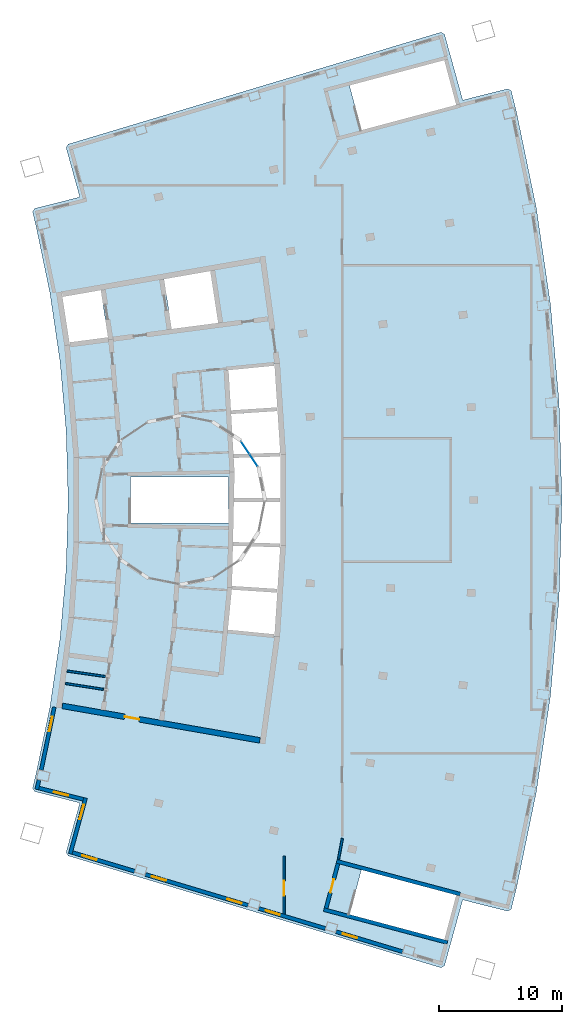
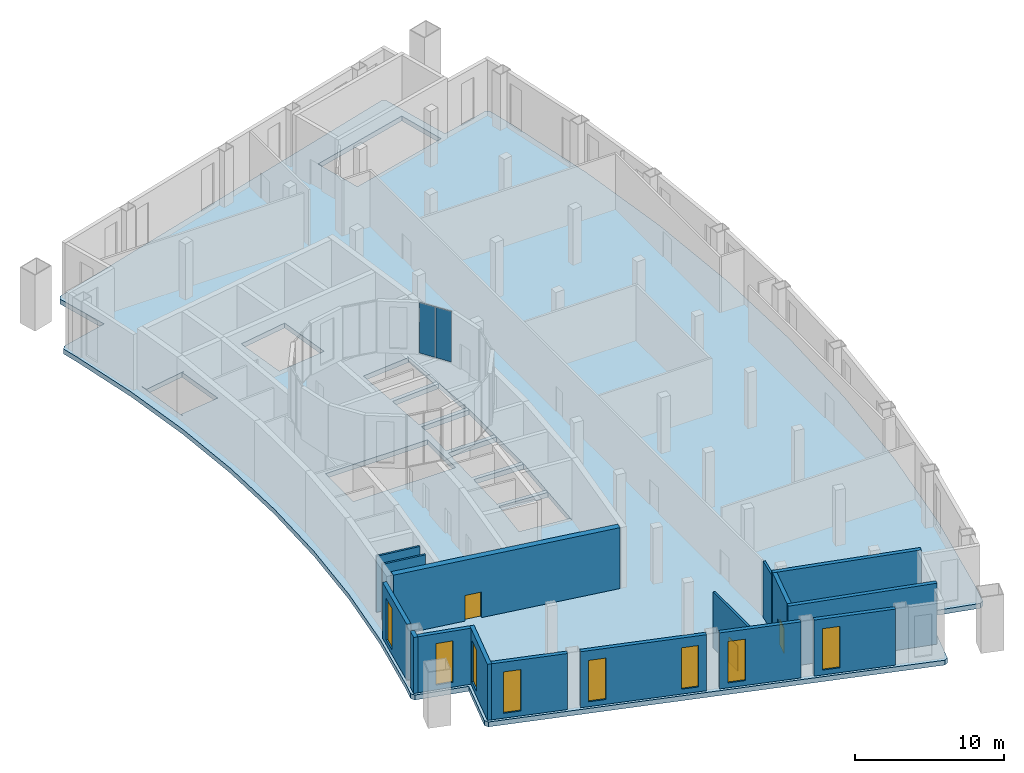
# One storey, part 3 of 9: 16 walls, 8 windows, 3 doors, 2 plates, 1 slab, 11 openings, 1 element without a shape of its own.
"""IFC4 building model written with IfcOpenShell, lengths in metres."""

from ifc_helpers import new_model, si_unit, direction, frame, frame_2d, origin, origin_2d, place, context, subcontext, project, spatial, polyline, rectangle, outline, extrude, material, layer, layer_set, type_object, element, fill, aggregate, save


model = new_model("IFC4")

# Units and contexts
model_context = context("Model", 3, precision=1e-05, world=origin(), true_north=direction((0.0, 1.0)))
body_context = subcontext(model_context, "Body", "Model", "MODEL_VIEW")
ifc_project = project(units=[si_unit("LENGTHUNIT", "METRE"), si_unit("AREAUNIT", "SQUARE_METRE"), si_unit("VOLUMEUNIT", "CUBIC_METRE"), si_unit("PLANEANGLEUNIT", "RADIAN"), si_unit("MASSUNIT", "GRAM", prefix="KILO")], contexts=[model_context])

# Site, building, storey
site_placement = place(None, origin())
site = spatial("IfcSite", under=ifc_project, at=site_placement, CompositionType="ELEMENT")
building_placement = place(site_placement, origin())
building = spatial("IfcBuilding", under=site, at=building_placement, Name="Alderwake Tower", CompositionType="ELEMENT")
storey_placement = place(building_placement, frame((0.0, 0.0, 310.0)))
storey = spatial("IfcBuildingStorey", under=building, at=storey_placement, Name="L75", CompositionType="ELEMENT", Elevation=310.0)

# Slab
ifc_material_1 = material(Name="Concrete C50/60", Category="concrete")
ifc_layer_1 = layer(ifc_material_1, 0.39990234375)
ifc_layer_set_1 = layer_set([ifc_layer_1], Name="Concrete C50/60 post-tensioned flat plate 400")
slab_type = type_object("IfcSlabType", Name="Concrete C50/60 post-tensioned flat plate 400", PredefinedType="FLOOR", material=ifc_layer_set_1)
slab_placement = place(storey_placement, frame((0.0, 0.0, -0.39990234375)))
element("IfcSlab", 1, at=slab_placement, inside=storey, type_object=slab_type, Name="Floor slab L75", PredefinedType="FLOOR", context=body_context, shape_type="SweptSolid", body=[
    extrude(outline(polyline([(16.942626953125, 36.46142578125), (13.287841796875, 37.38671875), (13.11962890625, 37.66650390625), (13.3984375, 38.802734375), (14.53369140625, 44.28564453125), (15.347412109375, 49.825439453125), (15.836669921875, 55.4033203125), (16.0, 61.0), (15.836669921875, 66.5966796875), (15.347412109375, 72.174560546875), (14.53369140625, 77.71435546875), (13.3984375, 83.197265625), (13.11962890625, 84.33349609375), (13.287841796875, 84.61328125), (16.942626953125, 85.53857421875), (15.837890625, 89.533203125), (15.996826171875, 89.821044921875), (46.204833984375, 98.890380859375), (46.486328125, 98.73486328125), (47.964111328125, 93.390869140625), (51.618896484375, 94.31591796875), (51.896728515625, 94.14892578125), (52.314453125, 92.4462890625), (53.9228515625, 84.6787109375), (55.075439453125, 76.830810546875), (55.768798828125, 68.9287109375), (56.0, 61.0), (55.768798828125, 53.0712890625), (55.075439453125, 45.169189453125), (53.9228515625, 37.3212890625), (52.314453125, 29.5537109375), (51.896728515625, 27.85107421875), (51.618896484375, 27.68408203125), (47.964111328125, 28.609130859375), (46.486328125, 23.26513671875), (46.204833984375, 23.109619140625), (15.996826171875, 32.178955078125), (15.837890625, 32.466796875), (16.942626953125, 36.46142578125)]), holes=[polyline([(29.26123046875, 53.771728515625), (29.2578125, 53.77197265625), (28.9365234375, 50.4912109375), (32.6962890625, 50.123291015625), (32.681640625, 49.973876953125), (32.711669921875, 49.970947265625), (32.95068359375, 53.644775390625), (33.18994140625, 57.318603515625), (33.18994140625, 61.0), (33.18994140625, 64.681396484375), (32.95068359375, 68.355224609375), (32.711669921875, 72.029052734375), (32.681640625, 72.026123046875), (32.6962890625, 71.876708984375), (28.886962890625, 71.50390625), (28.88720703125, 71.50048828125), (28.99462890625, 71.506591796875), (29.184814453125, 68.26025390625), (32.9111328125, 68.5029296875), (32.9208984375, 68.353271484375), (32.9306640625, 68.20361328125), (29.2021484375, 67.960693359375), (29.392578125, 64.7080078125), (33.1552734375, 64.83056640625), (33.159912109375, 64.680419921875), (33.164794921875, 64.530517578125), (29.41015625, 64.408447265625), (29.4765625, 63.27685546875), (29.429443359375, 61.14990234375), (33.159912109375, 61.14990234375), (33.159912109375, 61.0), (33.159912109375, 60.85009765625), (29.4228515625, 60.85009765625), (29.350830078125, 57.593505859375), (33.164794921875, 57.469482421875), (33.159912109375, 57.319580078125), (33.1552734375, 57.16943359375), (29.34423828125, 57.29345703125), (29.2705078125, 53.969482421875), (29.274169921875, 53.969482421875), (29.2783203125, 54.0341796875), (32.9306640625, 53.79638671875), (32.9208984375, 53.646728515625), (32.9111328125, 53.4970703125), (29.2587890625, 53.73486328125), (29.26123046875, 53.771728515625)]), polyline([(29.0, 62.875), (21.050048828125, 62.875), (21.050048828125, 59.125), (29.0, 59.125), (29.0, 62.875)]), polyline([(15.569091796875, 77.45703125), (15.49462890625, 77.88427734375), (15.4130859375, 77.869873046875), (15.413818359375, 77.8662109375), (15.47021484375, 77.874755859375), (16.13134765625, 73.5732421875), (16.1611328125, 73.5771484375), (16.13525390625, 73.775390625), (19.224609375, 74.1796875), (18.647705078125, 77.98974609375), (18.843994140625, 78.01953125), (18.84228515625, 78.028564453125), (15.569091796875, 77.45703125)]), polyline([(28.152587890625, 75.347412109375), (27.512451171875, 79.542236328125), (23.769287109375, 78.888916015625), (24.384033203125, 74.858642578125), (24.3623046875, 74.85546875), (24.36279296875, 74.8515625), (28.152587890625, 75.347412109375)]), polyline([(46.47119140625, 25.373291015625), (47.436279296875, 28.996826171875), (39.754150390625, 31.043212890625), (38.7890625, 27.41943359375), (46.47119140625, 25.373291015625)]), polyline([(47.436279296875, 93.003173828125), (46.47119140625, 96.626708984375), (38.7890625, 94.58056640625), (39.754150390625, 90.956787109375), (47.436279296875, 93.003173828125)])]), origin(), (0.0, 0.0, 1.0), 0.39990234375),
])

# Curtain wall, plates
ifc_material_2 = material(Name="Bronze tinted glass in aluminium frame", Category="aluminium")
ifc_layer_2 = layer(ifc_material_2, 0.199951171875)
ifc_layer_set_2 = layer_set([ifc_layer_2], Name="Curtain wall CW6 crown drum glazing")
curtain_wall_type = type_object("IfcCurtainWallType", Name="Curtain wall CW6 crown drum glazing", PredefinedType="NOTDEFINED", material=ifc_layer_set_2)
curtain_wall_placement = place(storey_placement, origin())
curtain_wall = element("IfcCurtainWall", 2, at=curtain_wall_placement, inside=storey, type_object=curtain_wall_type, Name="Curtain wall 1", PredefinedType="NOTDEFINED")
ifc_material_3 = material(Name="Bronze tinted glass in aluminium frame", Category="aluminium")
ifc_layer_3 = layer(ifc_material_3, 0.02392578125)
ifc_layer_set_3 = layer_set([ifc_layer_3], Name="Glass panel GPF 24")
plate_type = type_object("IfcPlateType", Name="Glass panel GPF 24", PredefinedType="CURTAIN_PANEL", material=ifc_layer_set_3)
plate_1_placement = place(storey_placement, frame((31.02001953125, 64.2275390625, 5.050048828125), z_axis=(0.0, 0.0, 1.0), x_axis=(-0.555549556768, 0.831483427361, 0.0)))
plate_1 = element("IfcPlate", 3, at=plate_1_placement, type_object=plate_type, Name="CW.01 panel 1.1", PredefinedType="CURTAIN_PANEL", context=body_context, shape_type="SweptSolid", body=[
    extrude(rectangle(XDim=1.160888671875, YDim=0.02392578125, at=origin_2d()), origin(), (0.0, 0.0, 1.0), 4.14990234375),
])
plate_2_placement = place(storey_placement, frame((30.347412109375, 65.234375, 5.050048828125), z_axis=(0.0, 0.0, 1.0), x_axis=(-0.555549556768, 0.831483427361, 0.0)))
plate_2 = element("IfcPlate", 4, at=plate_2_placement, type_object=plate_type, Name="CW.01 panel 2.1", PredefinedType="CURTAIN_PANEL", context=body_context, shape_type="SweptSolid", body=[
    extrude(rectangle(XDim=1.160888671875, YDim=0.02392578125, at=origin_2d()), origin(), (0.0, 0.0, 1.0), 4.14990234375),
])
aggregate(curtain_wall, [plate_1, plate_2])

# Walls
ifc_material_4 = material(Name="Gypsum shaft wall system, rated")
ifc_layer_4 = layer(ifc_material_4, 0.14990234375)
ifc_layer_set_4 = layer_set([ifc_layer_4], Name="Core room partition 150")
wall_type_1 = type_object("IfcWallType", Name="Core room partition 150", PredefinedType="PARTITIONING", material=ifc_layer_set_4)
wall_1_placement = place(storey_placement, frame((15.777099609375, 46.136474609375, 0.0), z_axis=(0.0, 0.0, 1.0), x_axis=(0.988162490428, -0.153410861774, 0.0)))
element("IfcWall", 5, at=wall_1_placement, inside=storey, type_object=wall_type_1, Name="CW/L75/PR-161_+0", PredefinedType="PARTITIONING", context=body_context, shape_type="SweptSolid", body=[
    extrude(rectangle(XDim=3.13037109375, YDim=0.14990234375, at=frame_2d((1.565185546875, 0.0))), origin(), (0.0, 0.0, 1.0), 4.60009765625),
])
wall_2_placement = place(storey_placement, frame((15.916015625, 47.146484375, 0.0), z_axis=(0.0, 0.0, 1.0), x_axis=(0.989723447804, -0.142994744194, 0.0)))
element("IfcWall", 6, at=wall_2_placement, inside=storey, type_object=wall_type_1, Name="CW/L75/PR-150_+0", PredefinedType="PARTITIONING", context=body_context, shape_type="SweptSolid", body=[
    extrude(rectangle(XDim=3.1279296875, YDim=0.14990234375, at=frame_2d((1.56396484375, 0.0))), origin(), (0.0, 0.0, 1.0), 4.60009765625),
])

# Wall, opening, door
ifc_material_5 = material(Name="Concrete C70/85", Category="concrete")
ifc_layer_5 = layer(ifc_material_5, 0.449951171875)
ifc_layer_set_5 = layer_set([ifc_layer_5], Name="Core wall outer 450 C70-85")
wall_type_2 = type_object("IfcWallType", Name="Core wall outer 450 C70-85", PredefinedType="SHEAR", material=ifc_layer_set_5)
wall_3_placement = place(storey_placement, frame((31.523681640625, 41.529052734375, 0.0), z_axis=(0.0, 0.0, 1.0), x_axis=(-0.985099762962, 0.171983885907, 0.0)))
wall_3 = element("IfcWall", 7, at=wall_3_placement, inside=storey, type_object=wall_type_2, Name="Core wall CW.073", PredefinedType="SHEAR", context=body_context, shape_type="SweptSolid", body=[
    extrude(rectangle(XDim=16.23828125, YDim=0.449951171875, at=frame_2d((8.119140625, 0.0))), origin(), (0.0, 0.0, 1.0), 5.0),
])
opening_1_placement = place(wall_3_placement, frame((9.91064453125, 0.0, 0.0)))
opening_1 = element("IfcOpeningElement", 8, at=opening_1_placement, cuts=wall_3, Name="Opening C003", PredefinedType="OPENING", context=body_context, shape_type="SweptSolid", body=[
    extrude(rectangle(XDim=1.199951171875, YDim=2.10009765625, at=frame_2d((0.60009765625, 1.050048828125))), frame((0.0, 0.23486328125, 0.0), z_axis=(0.0, -1.0, 0.0), x_axis=(1.0, 0.0, 0.0)), (0.0, 0.0, 1.0), 0.469970703125),
])
ifc_material_6 = material(Name="Steel-framed fire door leaf", Category="steel")
door_type_1 = type_object("IfcDoorType", Name="Core lobby exit door 1200 fire-rated", OperationType="SINGLE_SWING_LEFT", PredefinedType="DOOR", material=ifc_material_6)
door_1_placement = place(opening_1_placement, origin())
door_1 = element("IfcDoor", 9, at=door_1_placement, inside=storey, type_object=door_type_1, Name="Lobby door", OperationType="SINGLE_SWING_LEFT", OverallHeight=2.10009765625, OverallWidth=1.199951171875, PredefinedType="DOOR", context=body_context, shape_type="SweptSolid", body=[
    extrude(rectangle(XDim=1.199951171875, YDim=2.10009765625, at=frame_2d((0.60009765625, 1.050048828125))), frame((0.0, 0.02490234375, 0.0), z_axis=(0.0, -1.0, 0.0), x_axis=(1.0, 0.0, 0.0)), (0.0, 0.0, 1.0), 0.050048828125),
])
fill(opening_1, door_1)

# Walls
ifc_material_7 = material(Name="Concrete C70/85", Category="concrete")
ifc_layer_6 = layer(ifc_material_7, 0.300048828125)
ifc_layer_set_6 = layer_set([ifc_layer_6], Name="Core wall stair enclosure 300 C70-85")
wall_type_3 = type_object("IfcWallType", Name="Core wall stair enclosure 300 C70-85", PredefinedType="SHEAR", material=ifc_layer_set_6)
for number, where, z_axis, x_axis, name in (
    (10, (37.75390625, 31.731201171875, 0.0), (0.0, 0.0, 1.0), (0.966309214305, -0.257383958996, 0.0), "Core wall CW.086"),
    (11, (36.71142578125, 27.817626953125, 0.0), (0.0, 0.0, 1.0), (0.966309214305, -0.257383958996, 0.0), "Core wall CW.088"),
):
    element("IfcWall", number, at=place(storey_placement, frame(where, z_axis=z_axis, x_axis=x_axis)), inside=storey, type_object=wall_type_3, Name=name, PredefinedType="SHEAR", context=body_context, shape_type="SweptSolid", body=[
        extrude(rectangle(XDim=10.360107421875, YDim=0.300048828125, at=frame_2d((5.18017578125, 0.0))), origin(), (0.0, 0.0, 1.0), 5.0),
    ])

# Wall, opening, door
wall_4_placement = place(storey_placement, frame((36.89501953125, 27.923828125, 0.0), z_axis=(0.0, 0.0, 1.0), x_axis=(0.257350630826, 0.966318090907, 0.0)))
wall_4 = element("IfcWall", 12, at=wall_4_placement, inside=storey, type_object=wall_type_3, Name="Core wall CW.087", PredefinedType="SHEAR", context=body_context, shape_type="SweptSolid", body=[
    extrude(rectangle(XDim=3.75, YDim=0.300048828125, at=frame_2d((1.875, 0.0))), origin(), (0.0, 0.0, 1.0), 5.0),
])
opening_2_placement = place(wall_4_placement, frame((1.324951171875, 0.0, 0.0)))
opening_2 = element("IfcOpeningElement", 13, at=opening_2_placement, cuts=wall_4, Name="Opening C065", PredefinedType="OPENING", context=body_context, shape_type="SweptSolid", body=[
    extrude(rectangle(XDim=1.10009765625, YDim=2.10009765625, at=frame_2d((0.550048828125, 1.050048828125))), frame((0.0, 0.159912109375, 0.0), z_axis=(0.0, -1.0, 0.0), x_axis=(1.0, 0.0, 0.0)), (0.0, 0.0, 1.0), 0.320068359375),
])
ifc_material_8 = material(Name="Steel-framed fire door leaf", Category="steel")
door_type_2 = type_object("IfcDoorType", Name="Core stair door 1100 fire-rated", OperationType="SINGLE_SWING_LEFT", PredefinedType="DOOR", material=ifc_material_8)
door_2_placement = place(opening_2_placement, origin())
door_2 = element("IfcDoor", 14, at=door_2_placement, inside=storey, type_object=door_type_2, Name="Stair door", OperationType="SINGLE_SWING_LEFT", OverallHeight=2.10009765625, OverallWidth=1.10009765625, PredefinedType="DOOR", context=body_context, shape_type="SweptSolid", body=[
    extrude(rectangle(XDim=1.10009765625, YDim=2.10009765625, at=frame_2d((0.550048828125, 1.050048828125))), frame((0.0, 0.02490234375, 0.0), z_axis=(0.0, -1.0, 0.0), x_axis=(1.0, 0.0, 0.0)), (0.0, 0.0, 1.0), 0.050048828125),
])
fill(opening_2, door_2)

ifc_material_9 = material(Name="Gypsum board on metal studs, rated")
ifc_layer_7 = layer(ifc_material_9, 0.159912109375)
ifc_layer_set_7 = layer_set([ifc_layer_7], Name="Corridor wall 160")
wall_type_4 = type_object("IfcWallType", Name="Corridor wall 160", PredefinedType="PARTITIONING", material=ifc_layer_set_7)
wall_5_placement = place(storey_placement, frame((33.5009765625, 32.15087890625, 0.0), z_axis=(0.0, 0.0, 1.0), x_axis=(0.0, -1.0, 0.0)))
wall_5 = element("IfcWall", 15, at=wall_5_placement, inside=storey, type_object=wall_type_4, Name="WL/L75/W01", PredefinedType="PARTITIONING", context=body_context, shape_type="SweptSolid", body=[
    extrude(rectangle(XDim=4.683837890625, YDim=0.159912109375, at=frame_2d((2.341796875, 0.0))), origin(), (0.0, 0.0, 1.0), 4.60009765625),
])
opening_3_placement = place(wall_5_placement, frame((2.010986328125, 0.0, 0.0)))
opening_3 = element("IfcOpeningElement", 16, at=opening_3_placement, cuts=wall_5, Name="Opening L75-01", PredefinedType="OPENING", context=body_context, shape_type="SweptSolid", body=[
    extrude(rectangle(XDim=1.199951171875, YDim=2.10009765625, at=frame_2d((0.60009765625, 1.050048828125))), frame((0.0, 0.08984375, 0.0), z_axis=(0.0, -1.0, 0.0), x_axis=(1.0, 0.0, 0.0)), (0.0, 0.0, 1.0), 0.179931640625),
])
ifc_material_10 = material(Name="Steel door leaf in steel frame", Category="steel")
door_type_3 = type_object("IfcDoorType", Name="Plant room door 1200 steel", OperationType="SINGLE_SWING_LEFT", PredefinedType="DOOR", material=ifc_material_10)
door_3_placement = place(opening_3_placement, origin())
door_3 = element("IfcDoor", 17, at=door_3_placement, inside=storey, type_object=door_type_3, Name="DR/L75/01", OperationType="SINGLE_SWING_LEFT", OverallHeight=2.10009765625, OverallWidth=1.199951171875, PredefinedType="DOOR", context=body_context, shape_type="SweptSolid", body=[
    extrude(rectangle(XDim=1.199951171875, YDim=2.10009765625, at=frame_2d((0.60009765625, 1.050048828125))), frame((0.0, 0.02490234375, 0.0), z_axis=(0.0, -1.0, 0.0), x_axis=(1.0, 0.0, 0.0)), (0.0, 0.0, 1.0), 0.050048828125),
])
fill(opening_3, door_3)

# Walls
wall_6_placement = place(storey_placement, frame((37.90478515625, 31.9296875, 0.0), z_axis=(0.0, 0.0, 1.0), x_axis=(0.183989949375, 0.982928124803, 0.0)))
element("IfcWall", 18, at=wall_6_placement, inside=storey, type_object=wall_type_4, Name="WL/L75/W07", PredefinedType="PARTITIONING", context=body_context, shape_type="SweptSolid", body=[
    extrude(rectangle(XDim=1.678466796875, YDim=0.159912109375, at=frame_2d((0.83935546875, 0.0))), origin(), (0.0, 0.0, 1.0), 4.60009765625),
])
ifc_material_11 = material(Name="Bronze metal cladding on lightweight framing")
ifc_layer_8 = layer(ifc_material_11, 0.300048828125)
ifc_layer_set_8 = layer_set([ifc_layer_8], Name="External wall EW3 plant enclosure")
wall_type_5 = type_object("IfcWallType", Name="External wall EW3 plant enclosure", PredefinedType="SOLIDWALL", material=ifc_layer_set_8)
wall_7_placement = place(storey_placement, frame((13.643310546875, 38.33154296875, 0.0), z_axis=(0.0, 0.0, 1.0), x_axis=(-0.238313493867, -0.971188281767, 0.0)))
element("IfcWall", 19, at=wall_7_placement, inside=storey, type_object=wall_type_5, Name="External wall 1", PredefinedType="SOLIDWALL", context=body_context, shape_type="SweptSolid", body=[
    extrude(rectangle(XDim=0.80322265625, YDim=0.300048828125, at=frame_2d((0.401611328125, 0.0))), origin(), (0.0, 0.0, 1.0), 4.60009765625),
])

# Wall, opening, window
wall_8_placement = place(storey_placement, frame((13.633056640625, 37.660400390625, 0.0), z_axis=(0.0, 0.0, 1.0), x_axis=(0.969417366605, -0.245417948254, 0.0)))
wall_8 = element("IfcWall", 20, at=wall_8_placement, inside=storey, type_object=wall_type_5, Name="External wall 3", PredefinedType="SOLIDWALL", context=body_context, shape_type="SweptSolid", body=[
    extrude(rectangle(XDim=3.70556640625, YDim=0.300048828125, at=frame_2d((1.852783203125, 0.0))), origin(), (0.0, 0.0, 1.0), 4.60009765625),
])
opening_4_placement = place(wall_8_placement, frame((1.252685546875, 0.0, 0.39990234375)))
opening_4 = element("IfcOpeningElement", 21, at=opening_4_placement, cuts=wall_8, Name="Opening LV2", PredefinedType="OPENING", context=body_context, shape_type="SweptSolid", body=[
    extrude(rectangle(XDim=1.199951171875, YDim=3.39990234375, at=frame_2d((0.60009765625, 1.699951171875))), frame((0.0, 0.159912109375, 0.0), z_axis=(0.0, -1.0, 0.0), x_axis=(1.0, 0.0, 0.0)), (0.0, 0.0, 1.0), 0.320068359375),
])
ifc_material_12 = material(Name="Bronze anodised aluminium louvre", Category="aluminium")
window_type = type_object("IfcWindowType", Name="Louvre LV2 crown drum", PartitioningType="SINGLE_PANEL", PredefinedType="USERDEFINED", material=ifc_material_12)
window_1_placement = place(opening_4_placement, origin())
window_1 = element("IfcWindow", 22, at=window_1_placement, inside=storey, type_object=window_type, Name="Louvre LV2 crown drum", ObjectType="LOUVRE", OverallHeight=3.39990234375, OverallWidth=1.199951171875, PartitioningType="SINGLE_PANEL", PredefinedType="USERDEFINED", context=body_context, shape_type="SweptSolid", body=[
    extrude(rectangle(XDim=1.199951171875, YDim=3.39990234375, at=frame_2d((0.60009765625, 1.699951171875))), frame((0.0, 0.030029296875, 0.0), z_axis=(0.0, -1.0, 0.0), x_axis=(1.0, 0.0, 0.0)), (0.0, 0.0, 1.0), 0.06005859375),
])
fill(opening_4, window_1)

wall_9_placement = place(storey_placement, frame((17.410400390625, 36.85888671875, 0.0), z_axis=(0.0, 0.0, 1.0), x_axis=(-0.264592640785, -0.96436027212, 0.0)))
wall_9 = element("IfcWall", 23, at=wall_9_placement, inside=storey, type_object=wall_type_5, Name="External wall 5", PredefinedType="SOLIDWALL", context=body_context, shape_type="SweptSolid", body=[
    extrude(rectangle(XDim=4.690185546875, YDim=0.300048828125, at=frame_2d((2.34521484375, 0.0))), origin(), (0.0, 0.0, 1.0), 4.60009765625),
])
opening_5_placement = place(wall_9_placement, frame((0.572509765625, 0.0, 0.39990234375)))
opening_5 = element("IfcOpeningElement", 24, at=opening_5_placement, cuts=wall_9, Name="Opening LV2", PredefinedType="OPENING", context=body_context, shape_type="SweptSolid", body=[
    extrude(rectangle(XDim=1.199951171875, YDim=3.39990234375, at=frame_2d((0.60009765625, 1.699951171875))), frame((0.0, 0.159912109375, 0.0), z_axis=(0.0, -1.0, 0.0), x_axis=(1.0, 0.0, 0.0)), (0.0, 0.0, 1.0), 0.320068359375),
])
window_2_placement = place(opening_5_placement, origin())
window_2 = element("IfcWindow", 25, at=window_2_placement, inside=storey, type_object=window_type, Name="Louvre LV2 crown drum", ObjectType="LOUVRE", OverallHeight=3.39990234375, OverallWidth=1.199951171875, PartitioningType="SINGLE_PANEL", PredefinedType="USERDEFINED", context=body_context, shape_type="SweptSolid", body=[
    extrude(rectangle(XDim=1.199951171875, YDim=3.39990234375, at=frame_2d((0.60009765625, 1.699951171875))), frame((0.0, 0.030029296875, 0.0), z_axis=(0.0, -1.0, 0.0), x_axis=(1.0, 0.0, 0.0)), (0.0, 0.0, 1.0), 0.06005859375),
])
fill(opening_5, window_2)

wall_10_placement = place(storey_placement, frame((16.352783203125, 32.4375, 0.0), z_axis=(0.0, 0.0, 1.0), x_axis=(0.957768668152, -0.287539872551, 0.0)))
wall_10 = element("IfcWall", 26, at=wall_10_placement, inside=storey, type_object=wall_type_5, Name="External wall 7", PredefinedType="SOLIDWALL", context=body_context, shape_type="SweptSolid", body=[
    extrude(rectangle(XDim=5.249755859375, YDim=0.300048828125, at=frame_2d((2.625, 0.0))), origin(), (0.0, 0.0, 1.0), 4.60009765625),
])
opening_6_placement = place(wall_10_placement, frame((0.825439453125, 0.0, 0.39990234375)))
opening_6 = element("IfcOpeningElement", 27, at=opening_6_placement, cuts=wall_10, Name="Opening LV2", PredefinedType="OPENING", context=body_context, shape_type="SweptSolid", body=[
    extrude(rectangle(XDim=1.199951171875, YDim=3.39990234375, at=frame_2d((0.60009765625, 1.699951171875))), frame((0.0, 0.159912109375, 0.0), z_axis=(0.0, -1.0, 0.0), x_axis=(1.0, 0.0, 0.0)), (0.0, 0.0, 1.0), 0.320068359375),
])
window_3_placement = place(opening_6_placement, origin())
window_3 = element("IfcWindow", 28, at=window_3_placement, inside=storey, type_object=window_type, Name="Louvre LV2 crown drum", ObjectType="LOUVRE", OverallHeight=3.39990234375, OverallWidth=1.199951171875, PartitioningType="SINGLE_PANEL", PredefinedType="USERDEFINED", context=body_context, shape_type="SweptSolid", body=[
    extrude(rectangle(XDim=1.199951171875, YDim=3.39990234375, at=frame_2d((0.60009765625, 1.699951171875))), frame((0.0, 0.030029296875, 0.0), z_axis=(0.0, -1.0, 0.0), x_axis=(1.0, 0.0, 0.0)), (0.0, 0.0, 1.0), 0.06005859375),
])
fill(opening_6, window_3)

# Wall, openings, windows
wall_11_placement = place(storey_placement, frame((22.24658203125, 30.668212890625, 0.0), z_axis=(0.0, 0.0, 1.0), x_axis=(0.957762902908, -0.287559075345, 0.0)))
wall_11 = element("IfcWall", 29, at=wall_11_placement, inside=storey, type_object=wall_type_5, Name="External wall 9", PredefinedType="SOLIDWALL", context=body_context, shape_type="SweptSolid", body=[
    extrude(rectangle(XDim=8.696533203125, YDim=0.300048828125, at=frame_2d((4.34814453125, 0.0))), origin(), (0.0, 0.0, 1.0), 4.60009765625),
])
opening_7_placement = place(wall_11_placement, frame((0.548095703125, 0.0, 0.39990234375)))
opening_7 = element("IfcOpeningElement", 30, at=opening_7_placement, cuts=wall_11, Name="Opening LV2", PredefinedType="OPENING", context=body_context, shape_type="SweptSolid", body=[
    extrude(rectangle(XDim=1.199951171875, YDim=3.39990234375, at=frame_2d((0.60009765625, 1.699951171875))), frame((0.0, 0.159912109375, 0.0), z_axis=(0.0, -1.0, 0.0), x_axis=(1.0, 0.0, 0.0)), (0.0, 0.0, 1.0), 0.320068359375),
])
opening_8_placement = place(wall_11_placement, frame((6.9482421875, 0.0, 0.39990234375)))
opening_8 = element("IfcOpeningElement", 31, at=opening_8_placement, cuts=wall_11, Name="Opening LV2", PredefinedType="OPENING", context=body_context, shape_type="SweptSolid", body=[
    extrude(rectangle(XDim=1.199951171875, YDim=3.39990234375, at=frame_2d((0.60009765625, 1.699951171875))), frame((0.0, 0.159912109375, 0.0), z_axis=(0.0, -1.0, 0.0), x_axis=(1.0, 0.0, 0.0)), (0.0, 0.0, 1.0), 0.320068359375),
])
window_4_placement = place(opening_7_placement, origin())
window_4 = element("IfcWindow", 32, at=window_4_placement, inside=storey, type_object=window_type, Name="Louvre LV2 crown drum", ObjectType="LOUVRE", OverallHeight=3.39990234375, OverallWidth=1.199951171875, PartitioningType="SINGLE_PANEL", PredefinedType="USERDEFINED", context=body_context, shape_type="SweptSolid", body=[
    extrude(rectangle(XDim=1.199951171875, YDim=3.39990234375, at=frame_2d((0.60009765625, 1.699951171875))), frame((0.0, 0.030029296875, 0.0), z_axis=(0.0, -1.0, 0.0), x_axis=(1.0, 0.0, 0.0)), (0.0, 0.0, 1.0), 0.06005859375),
])
fill(opening_7, window_4)
window_5_placement = place(opening_8_placement, origin())
window_5 = element("IfcWindow", 33, at=window_5_placement, inside=storey, type_object=window_type, Name="Louvre LV2 crown drum", ObjectType="LOUVRE", OverallHeight=3.39990234375, OverallWidth=1.199951171875, PartitioningType="SINGLE_PANEL", PredefinedType="USERDEFINED", context=body_context, shape_type="SweptSolid", body=[
    extrude(rectangle(XDim=1.199951171875, YDim=3.39990234375, at=frame_2d((0.60009765625, 1.699951171875))), frame((0.0, 0.030029296875, 0.0), z_axis=(0.0, -1.0, 0.0), x_axis=(1.0, 0.0, 0.0)), (0.0, 0.0, 1.0), 0.06005859375),
])
fill(opening_8, window_5)

# Wall, opening, window
wall_12_placement = place(storey_placement, frame((31.441162109375, 27.90771484375, 0.0), z_axis=(0.0, 0.0, 1.0), x_axis=(0.957764198898, -0.287554758802, 0.0)))
wall_12 = element("IfcWall", 34, at=wall_12_placement, inside=storey, type_object=wall_type_5, Name="External wall 11", PredefinedType="SOLIDWALL", context=body_context, shape_type="SweptSolid", body=[
    extrude(rectangle(XDim=5.6298828125, YDim=0.300048828125, at=frame_2d((2.81494140625, 0.0))), origin(), (0.0, 0.0, 1.0), 4.60009765625),
])
opening_9_placement = place(wall_12_placement, frame((0.58154296875, 0.0, 0.39990234375)))
opening_9 = element("IfcOpeningElement", 35, at=opening_9_placement, cuts=wall_12, Name="Opening LV2", PredefinedType="OPENING", context=body_context, shape_type="SweptSolid", body=[
    extrude(rectangle(XDim=1.199951171875, YDim=3.39990234375, at=frame_2d((0.60009765625, 1.699951171875))), frame((0.0, 0.159912109375, 0.0), z_axis=(0.0, -1.0, 0.0), x_axis=(1.0, 0.0, 0.0)), (0.0, 0.0, 1.0), 0.320068359375),
])
window_6_placement = place(opening_9_placement, origin())
window_6 = element("IfcWindow", 36, at=window_6_placement, inside=storey, type_object=window_type, Name="Louvre LV2 crown drum", ObjectType="LOUVRE", OverallHeight=3.39990234375, OverallWidth=1.199951171875, PartitioningType="SINGLE_PANEL", PredefinedType="USERDEFINED", context=body_context, shape_type="SweptSolid", body=[
    extrude(rectangle(XDim=1.199951171875, YDim=3.39990234375, at=frame_2d((0.60009765625, 1.699951171875))), frame((0.0, 0.030029296875, 0.0), z_axis=(0.0, -1.0, 0.0), x_axis=(1.0, 0.0, 0.0)), (0.0, 0.0, 1.0), 0.06005859375),
])
fill(opening_9, window_6)

wall_13_placement = place(storey_placement, frame((37.698486328125, 26.029052734375, 0.0), z_axis=(0.0, 0.0, 1.0), x_axis=(0.957755841517, -0.287582593423, 0.0)))
wall_13 = element("IfcWall", 37, at=wall_13_placement, inside=storey, type_object=wall_type_5, Name="External wall 13", PredefinedType="SOLIDWALL", context=body_context, shape_type="SweptSolid", body=[
    extrude(rectangle(XDim=5.630126953125, YDim=0.300048828125, at=frame_2d((2.81494140625, 0.0))), origin(), (0.0, 0.0, 1.0), 4.60009765625),
])
opening_10_placement = place(wall_13_placement, frame((0.58154296875, 0.0, 0.39990234375)))
opening_10 = element("IfcOpeningElement", 38, at=opening_10_placement, cuts=wall_13, Name="Opening LV2", PredefinedType="OPENING", context=body_context, shape_type="SweptSolid", body=[
    extrude(rectangle(XDim=1.199951171875, YDim=3.39990234375, at=frame_2d((0.60009765625, 1.699951171875))), frame((0.0, 0.159912109375, 0.0), z_axis=(0.0, -1.0, 0.0), x_axis=(1.0, 0.0, 0.0)), (0.0, 0.0, 1.0), 0.320068359375),
])
window_7_placement = place(opening_10_placement, origin())
window_7 = element("IfcWindow", 39, at=window_7_placement, inside=storey, type_object=window_type, Name="Louvre LV2 crown drum", ObjectType="LOUVRE", OverallHeight=3.39990234375, OverallWidth=1.199951171875, PartitioningType="SINGLE_PANEL", PredefinedType="USERDEFINED", context=body_context, shape_type="SweptSolid", body=[
    extrude(rectangle(XDim=1.199951171875, YDim=3.39990234375, at=frame_2d((0.60009765625, 1.699951171875))), frame((0.0, 0.030029296875, 0.0), z_axis=(0.0, -1.0, 0.0), x_axis=(1.0, 0.0, 0.0)), (0.0, 0.0, 1.0), 0.06005859375),
])
fill(opening_10, window_7)

wall_14_placement = place(storey_placement, frame((14.878173828125, 44.223388671875, 0.0), z_axis=(0.0, 0.0, 1.0), x_axis=(-0.202760516883, -0.979228355795, 0.0)))
wall_14 = element("IfcWall", 40, at=wall_14_placement, inside=storey, type_object=wall_type_5, Name="External wall 63", PredefinedType="SOLIDWALL", context=body_context, shape_type="SweptSolid", body=[
    extrude(rectangle(XDim=5.211181640625, YDim=0.300048828125, at=frame_2d((2.60546875, 0.0))), origin(), (0.0, 0.0, 1.0), 4.60009765625),
])
opening_11_placement = place(wall_14_placement, frame((0.806396484375, 0.0, 0.39990234375)))
opening_11 = element("IfcOpeningElement", 41, at=opening_11_placement, cuts=wall_14, Name="Opening LV2", PredefinedType="OPENING", context=body_context, shape_type="SweptSolid", body=[
    extrude(rectangle(XDim=1.199951171875, YDim=3.39990234375, at=frame_2d((0.60009765625, 1.699951171875))), frame((0.0, 0.159912109375, 0.0), z_axis=(0.0, -1.0, 0.0), x_axis=(1.0, 0.0, 0.0)), (0.0, 0.0, 1.0), 0.320068359375),
])
window_8_placement = place(opening_11_placement, origin())
window_8 = element("IfcWindow", 42, at=window_8_placement, inside=storey, type_object=window_type, Name="Louvre LV2 crown drum", ObjectType="LOUVRE", OverallHeight=3.39990234375, OverallWidth=1.199951171875, PartitioningType="SINGLE_PANEL", PredefinedType="USERDEFINED", context=body_context, shape_type="SweptSolid", body=[
    extrude(rectangle(XDim=1.199951171875, YDim=3.39990234375, at=frame_2d((0.60009765625, 1.699951171875))), frame((0.0, 0.030029296875, 0.0), z_axis=(0.0, -1.0, 0.0), x_axis=(1.0, 0.0, 0.0)), (0.0, 0.0, 1.0), 0.06005859375),
])
fill(opening_11, window_8)

save(model, "model.ifc")
